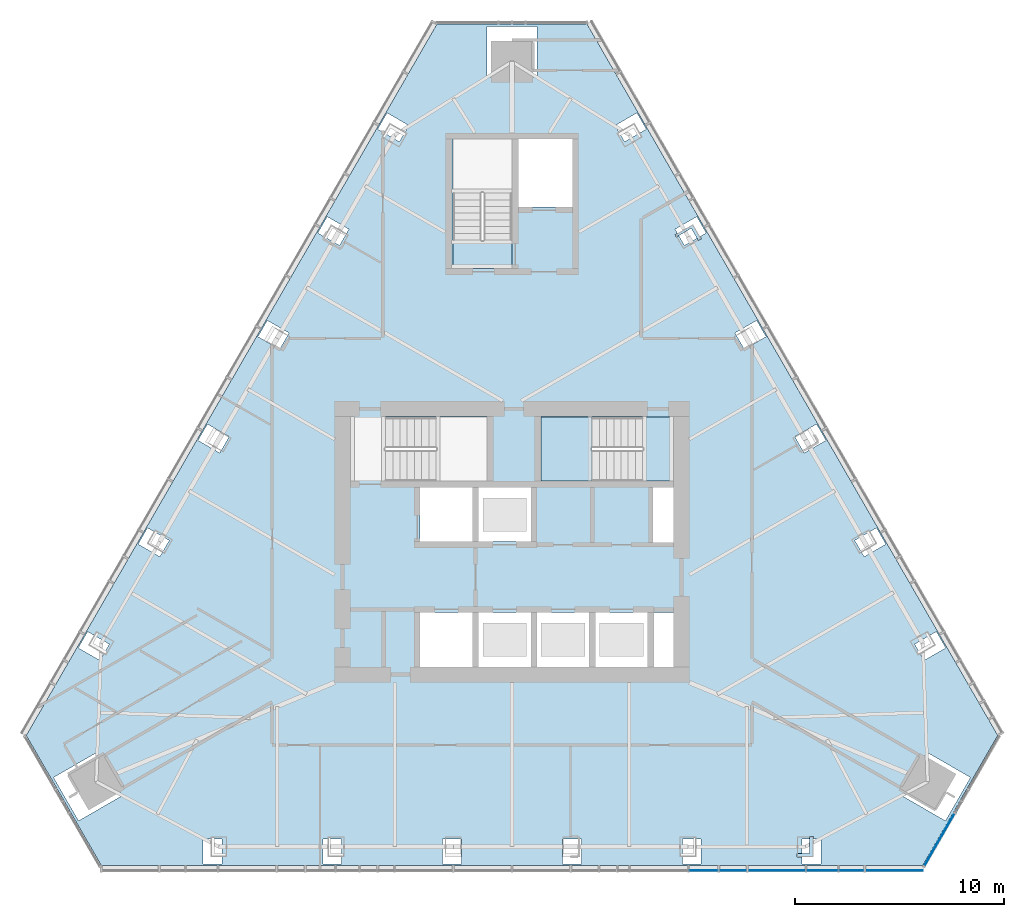
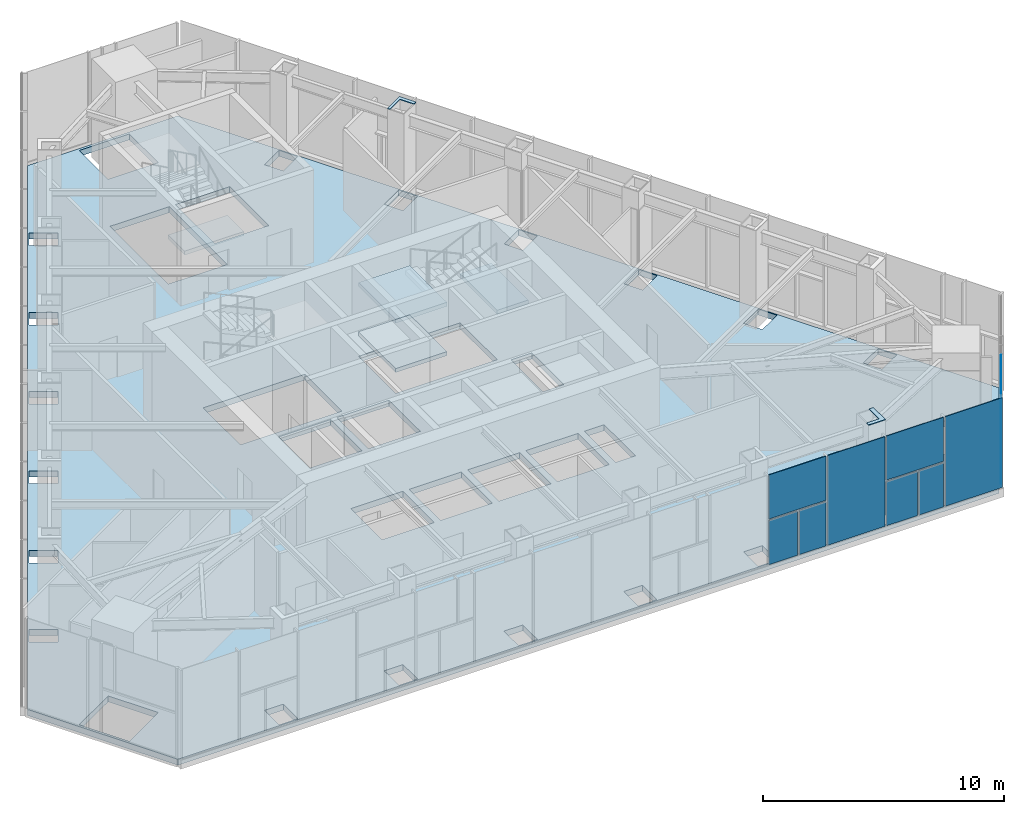
# One storey, part 9 of 17: 12 plates, 5 slabs, 4 elements without a shape of their own.
"""IFC4 building model written with IfcOpenShell, lengths in metres."""

import ifcopenshell
import ifcopenshell.guid

model = None  # the IFC model being written
_history = None  # IfcOwnerHistory: only IFC2X3 demands one
_inside = {}  # id of a spatial element -> (the spatial element, [elements in it])
_under = {}  # id of a project, library or spatial element -> (it, [spatial elements below it])
_declared = {}  # id of a project -> (the project, [libraries it declares])
_typed = {}  # id of a type object -> (the type object, [elements of that type])
_made_of = {}  # id of a material, layer set ... -> (it, [elements and type objects made of it])


def new_model(schema):
    """Start an empty IFC model of exactly this schema.

    Asked for "IFC4X3", IfcOpenShell would pick the latest addendum, in which some entities
    have other attributes; the version numbers below select the first issue.
    IFC2X3 requires an IfcOwnerHistory on every rooted entity: one is made here for all.
    """
    global model, _history
    if schema == "IFC4X3":
        model = ifcopenshell.file(schema_version=(4, 3, 0, 0))
    else:
        model = ifcopenshell.file(schema=schema)
    _inside.clear()
    _under.clear()
    _declared.clear()
    _typed.clear()
    _made_of.clear()
    _history = None
    if model.schema == "IFC2X3":
        org = make("IfcOrganization", Name="unknown")
        user = make(
            "IfcPersonAndOrganization",
            ThePerson=make("IfcPerson", FamilyName="unknown"),
            TheOrganization=org,
        )
        app = make(
            "IfcApplication",
            ApplicationDeveloper=org,
            Version="unknown",
            ApplicationFullName="unknown",
            ApplicationIdentifier="unknown",
        )
        _history = make(
            "IfcOwnerHistory",
            OwningUser=user,
            OwningApplication=app,
            ChangeAction="ADDED",
            CreationDate=0,
        )
    return model


def make(cls, **values):
    """One entity of the class cls with the attributes given. An attribute that is None is left unset."""
    return model.create_entity(
        cls, **{name: value for name, value in values.items() if value is not None}
    )


def rooted(cls, **values):
    """An entity with a GlobalId (a new one), such as an element, a storey or a relation."""
    return make(cls, GlobalId=ifcopenshell.guid.new(), OwnerHistory=_history, **values)


def si_unit(unit_type, name, prefix=None):
    """IfcSIUnit, for example si_unit("LENGTHUNIT", "METRE", prefix="MILLI")."""
    return make("IfcSIUnit", UnitType=unit_type, Prefix=prefix, Name=name)


def assignment(units):
    """IfcUnitAssignment: the units of a project."""
    return None if units is None else make("IfcUnitAssignment", Units=units)


def point(xyz):
    """IfcCartesianPoint."""
    return None if xyz is None else make("IfcCartesianPoint", Coordinates=xyz)


def direction(xyz):
    """IfcDirection."""
    return None if xyz is None else make("IfcDirection", DirectionRatios=xyz)


def frame(location, z_axis=None, x_axis=None):
    """IfcAxis2Placement3D, a coordinate frame: its origin and axes. An axis left out is left unset."""
    return make(
        "IfcAxis2Placement3D",
        Location=point(location),
        Axis=direction(z_axis),
        RefDirection=direction(x_axis),
    )


def origin():
    """The frame at (0, 0, 0) with its axes left unset."""
    return frame((0.0, 0.0, 0.0))


def place(relative_to, where):
    """IfcLocalPlacement: puts the frame where relative to a parent placement (None: the world)."""
    return make(
        "IfcLocalPlacement", PlacementRelTo=relative_to, RelativePlacement=where
    )


def context(
    kind, dimensions, precision=None, world=None, true_north=None, identifier=None
):
    """IfcGeometricRepresentationContext, for example the 3D "Model" context."""
    return make(
        "IfcGeometricRepresentationContext",
        ContextIdentifier=identifier,
        ContextType=kind,
        CoordinateSpaceDimension=dimensions,
        Precision=precision,
        WorldCoordinateSystem=world,
        TrueNorth=true_north,
    )


def subcontext(parent, identifier, kind, view, scale=None):
    """IfcGeometricRepresentationSubContext, for example "Body" below "Model"."""
    return make(
        "IfcGeometricRepresentationSubContext",
        ContextIdentifier=identifier,
        ContextType=kind,
        ParentContext=parent,
        TargetScale=scale,
        TargetView=view,
    )


def project(units=None, contexts=None):
    """IfcProject with its units and contexts."""
    return rooted(
        "IfcProject",
        Name="project",
        RepresentationContexts=contexts,
        UnitsInContext=assignment(units),
    )


def spatial(cls, under=None, at=None, **own):
    """A site, building, storey or space (cls), placed at a placement, below another one or the project."""
    s = rooted(cls, ObjectPlacement=at, **own)
    if under is not None:
        _under.setdefault(under.id(), (under, []))[1].append(s)
    return s


def polyline(points):
    """IfcPolyline through the points."""
    return make("IfcPolyline", Points=[point(p) for p in points])


def outline(outer, holes=None, kind="AREA"):
    """IfcArbitraryClosedProfileDef: a profile drawn as a closed curve; with holes, ...WithVoids."""
    if holes is None:
        return make("IfcArbitraryClosedProfileDef", ProfileType=kind, OuterCurve=outer)
    return make(
        "IfcArbitraryProfileDefWithVoids",
        ProfileType=kind,
        OuterCurve=outer,
        InnerCurves=holes,
    )


def extrude(swept, where, along, depth):
    """IfcExtrudedAreaSolid: the profile swept, set in the frame where, extruded along a direction by depth."""
    return make(
        "IfcExtrudedAreaSolid",
        SweptArea=swept,
        Position=where,
        ExtrudedDirection=direction(along),
        Depth=depth,
    )


def shape(context_of_items, identifier, shape_type, items):
    """IfcShapeRepresentation: the items that make up one representation, for example the "Body"."""
    return make(
        "IfcShapeRepresentation",
        ContextOfItems=context_of_items,
        RepresentationIdentifier=identifier,
        RepresentationType=shape_type,
        Items=items,
    )


def material(Name=None, Category=None):
    """IfcMaterial."""
    return make("IfcMaterial", Name=Name, Category=Category)


def layer(
    of_material, thickness, ventilated=None, Name=None, Category=None, Priority=None
):
    """IfcMaterialLayer: one layer of a wall or slab, of a material (None: an air gap)."""
    return make(
        "IfcMaterialLayer",
        Material=of_material,
        LayerThickness=thickness,
        IsVentilated=ventilated,
        Name=Name,
        Category=Category,
        Priority=Priority,
    )


def layer_set(layers, Name=None):
    """IfcMaterialLayerSet."""
    return make("IfcMaterialLayerSet", MaterialLayers=layers, LayerSetName=Name)


def made_of(thing, what):
    """Note that an element or type object is made of a material, layer set ...; save() writes the relation."""
    if what is not None:
        _made_of.setdefault(what.id(), (what, []))[1].append(thing)
    return thing


def type_object(cls, material=None, **own):
    """A type object (cls), such as IfcWallType, which elements share."""
    return made_of(rooted(cls, **own), material)


def element(
    cls,
    number,
    at=None,
    inside=None,
    cuts=None,
    type_object=None,
    material=None,
    context=None,
    identifier="Body",
    shape_type=None,
    held_by="IfcProductDefinitionShape",
    body=None,
    shapes=None,
    **own,
):
    """One element of the class cls, such as IfcWall. Its Tag is "e" and its number.

    at: its placement. inside: the storey or other place that contains it. cuts: it is an
    opening in that element (IfcRelVoidsElement). A single representation is given by context,
    identifier, shape_type and body (its items); several are given by shapes. held_by: the class
    of the entity that holds the representations. save() writes the other relations.
    """
    e = rooted(cls, Tag="e%d" % number, ObjectPlacement=at, **own)
    if body is not None:
        shapes = [shape(context, identifier, shape_type, body)]
    if shapes is not None:
        e.Representation = make(held_by, Representations=shapes)
    if inside is not None:
        _inside.setdefault(inside.id(), (inside, []))[1].append(e)
    if cuts is not None:
        rooted(
            "IfcRelVoidsElement", RelatingBuildingElement=cuts, RelatedOpeningElement=e
        )
    if type_object is not None:
        _typed.setdefault(type_object.id(), (type_object, []))[1].append(e)
    return made_of(e, material)


def aggregate(whole, parts):
    """IfcRelAggregates: a whole, such as a stair, and the parts it consists of."""
    return rooted("IfcRelAggregates", RelatingObject=whole, RelatedObjects=parts)


def save(model, path):
    """Write the relations noted so far, then the file.

    IfcRelAggregates (storeys below a building ...), IfcRelContainedInSpatialStructure (elements
    in a storey), IfcRelDefinesByType, IfcRelAssociatesMaterial and IfcRelDeclares: one each for
    every whole, place, type object, material and project.
    """
    for whole, parts in _under.values():
        aggregate(whole, parts)
    for where, things in _inside.values():
        rooted(
            "IfcRelContainedInSpatialStructure",
            RelatedElements=things,
            RelatingStructure=where,
        )
    for kind, things in _typed.values():
        rooted("IfcRelDefinesByType", RelatedObjects=things, RelatingType=kind)
    for what, things in _made_of.values():
        rooted("IfcRelAssociatesMaterial", RelatedObjects=things, RelatingMaterial=what)
    for by, libraries in _declared.values():
        rooted("IfcRelDeclares", RelatingContext=by, RelatedDefinitions=libraries)
    model.write(path)


model = new_model("IFC4")

# Units and contexts
model_context = context("Model", 3, precision=1e-05, world=origin(), true_north=direction((0.0, 1.0)))
body_context = subcontext(model_context, "Body", "Model", "MODEL_VIEW")
ifc_project = project(units=[si_unit("LENGTHUNIT", "METRE"), si_unit("AREAUNIT", "SQUARE_METRE"), si_unit("VOLUMEUNIT", "CUBIC_METRE"), si_unit("PLANEANGLEUNIT", "RADIAN"), si_unit("MASSUNIT", "GRAM", prefix="KILO")], contexts=[model_context])

# Site, building, storey
site_placement = place(None, origin())
site = spatial("IfcSite", under=ifc_project, at=site_placement, CompositionType="ELEMENT")
building_placement = place(site_placement, origin())
building = spatial("IfcBuilding", under=site, at=building_placement, Name="Firuza Gate Tower and Library", CompositionType="ELEMENT")
storey_placement = place(building_placement, frame((0.0, 0.0, 326.60009765625)))
storey = spatial("IfcBuildingStorey", under=building, at=storey_placement, Name="L80", CompositionType="ELEMENT", Elevation=326.60009765625)

# Plates
ifc_material_1 = material(Name="Steel S355", Category="steel")
ifc_layer_1 = layer(ifc_material_1, 0.030029296875)
ifc_layer_set_1 = layer_set([ifc_layer_1], Name="Column infill plate 30 Steel S355")
plate_type_1 = type_object("IfcPlateType", Name="Column infill plate 30 Steel S355", PredefinedType="SHEET", material=ifc_layer_set_1)
placement_1 = place(storey_placement, frame((0.0, 0.0, 5.0)))
element("IfcPlate", 1, at=placement_1, inside=storey, type_object=plate_type_1, Name="Infill plate L80:S6", PredefinedType="SHEET", context=body_context, shape_type="SweptSolid", body=[
    extrude(outline(polyline([(89.466552734375, 60.873046875), (89.257080078125, 60.873046875), (89.257080078125, 60.04248046875), (88.666748046875, 60.04248046875), (88.666748046875, 59.873046875), (89.466552734375, 59.873046875), (89.466552734375, 60.873046875)])), origin(), (0.0, 0.0, 1.0), 0.02978515625),
])
element("IfcPlate", 2, at=placement_1, inside=storey, type_object=plate_type_1, Name="Infill plate L80:E5", PredefinedType="SHEET", context=body_context, shape_type="SweptSolid", body=[
    extrude(outline(polyline([(82.814208984375, 89.718994140625), (82.877197265625, 89.610107421875), (83.596435546875, 90.025634765625), (83.93359375, 89.441650390625), (84.080322265625, 89.5263671875), (83.68017578125, 90.218994140625), (82.814208984375, 89.718994140625)])), origin(), (0.0, 0.0, 1.0), 0.02978515625),
])

# Slab
ifc_material_2 = material(Name="Concrete C40/50", Category="concrete")
ifc_layer_2 = layer(ifc_material_2, 0.300048828125)
ifc_layer_set_2 = layer_set([ifc_layer_2], Name="Composite floor slab 300 C40/50")
slab_type_1 = type_object("IfcSlabType", Name="Composite floor slab 300 C40/50", PredefinedType="FLOOR", material=ifc_layer_set_2)
slab_1_placement = place(storey_placement, frame((0.0, 0.0, -0.300048828125)))
element("IfcSlab", 3, at=slab_1_placement, inside=storey, type_object=slab_type_1, Name="Floor slab L80", PredefinedType="FLOOR", context=body_context, shape_type="SweptSolid", body=[
    extrude(outline(polyline([(51.706787109375, 65.70849609375), (55.306640625, 59.47314453125), (94.693359375, 59.47314453125), (98.293212890625, 65.70849609375), (78.60009765625, 99.818359375), (71.39990234375, 99.818359375), (51.706787109375, 65.70849609375)]), holes=[polyline([(60.18994140625, 59.5361328125), (60.18994140625, 60.736083984375), (61.090087890625, 60.736083984375), (61.090087890625, 59.5361328125), (60.18994140625, 59.5361328125)]), polyline([(65.93408203125, 59.5361328125), (65.93408203125, 60.736083984375), (66.833984375, 60.736083984375), (66.833984375, 59.5361328125), (65.93408203125, 59.5361328125)]), polyline([(71.677978515625, 59.5361328125), (71.677978515625, 60.736083984375), (72.577880859375, 60.736083984375), (72.577880859375, 59.5361328125), (71.677978515625, 59.5361328125)]), polyline([(53.015625, 63.69287109375), (55.093994140625, 64.89306640625), (56.294189453125, 62.814453125), (54.215576171875, 61.614501953125), (53.015625, 63.69287109375)]), polyline([(54.65283203125, 70.685546875), (55.692138671875, 70.085693359375), (55.241943359375, 69.30615234375), (54.202880859375, 69.90625), (54.65283203125, 70.685546875)]), polyline([(73.10009765625, 69.0), (70.60009765625, 69.0), (70.60009765625, 71.60009765625), (73.10009765625, 71.60009765625), (73.10009765625, 69.0)]), polyline([(75.89990234375, 69.0), (73.39990234375, 69.0), (73.39990234375, 71.60009765625), (75.89990234375, 71.60009765625), (75.89990234375, 69.0)]), polyline([(57.52490234375, 75.659912109375), (58.56396484375, 75.06005859375), (58.114013671875, 74.280517578125), (57.07470703125, 74.880615234375), (57.52490234375, 75.659912109375)]), polyline([(73.10009765625, 75.0), (70.60009765625, 75.0), (70.60009765625, 77.60009765625), (73.10009765625, 77.60009765625), (73.10009765625, 75.0)]), polyline([(75.89990234375, 75.0), (73.39990234375, 75.0), (73.39990234375, 77.60009765625), (75.89990234375, 77.60009765625), (75.89990234375, 75.0)]), polyline([(68.9404296875, 77.89990234375), (68.9404296875, 80.97998046875), (73.81005859375, 80.97998046875), (73.81005859375, 77.89990234375), (68.9404296875, 77.89990234375)]), polyline([(60.396728515625, 80.634521484375), (61.43603515625, 80.034423828125), (60.986083984375, 79.255126953125), (59.94677734375, 79.85498046875), (60.396728515625, 80.634521484375)]), polyline([(63.268798828125, 85.60888671875), (64.30810546875, 85.009033203125), (63.858154296875, 84.2294921875), (62.81884765625, 84.82958984375), (63.268798828125, 85.60888671875)]), polyline([(66.140869140625, 90.583251953125), (67.179931640625, 89.9833984375), (66.72998046875, 89.203857421875), (65.69091796875, 89.803955078125), (66.140869140625, 90.583251953125)]), polyline([(72.159912109375, 89.470458984375), (72.159912109375, 94.300048828125), (75.0, 94.300048828125), (75.0, 89.470458984375), (72.159912109375, 89.470458984375)]), polyline([(69.0126953125, 95.557861328125), (70.052001953125, 94.957763671875), (69.60205078125, 94.178466796875), (68.562744140625, 94.7783203125), (69.0126953125, 95.557861328125)]), polyline([(76.199951171875, 99.692626953125), (76.199951171875, 97.29248046875), (73.800048828125, 97.29248046875), (73.800048828125, 99.692626953125), (76.199951171875, 99.692626953125)]), polyline([(77.422119140625, 59.5361328125), (77.422119140625, 60.736083984375), (78.322021484375, 60.736083984375), (78.322021484375, 59.5361328125), (77.422119140625, 59.5361328125)]), polyline([(83.166015625, 59.5361328125), (83.166015625, 60.736083984375), (84.06591796875, 60.736083984375), (84.06591796875, 59.5361328125), (83.166015625, 59.5361328125)]), polyline([(88.909912109375, 59.5361328125), (88.909912109375, 60.736083984375), (89.81005859375, 60.736083984375), (89.81005859375, 59.5361328125), (88.909912109375, 59.5361328125)]), polyline([(95.784423828125, 61.614501953125), (93.705810546875, 62.814453125), (94.906005859375, 64.89306640625), (96.984375, 63.69287109375), (95.784423828125, 61.614501953125)]), polyline([(95.797119140625, 69.90625), (94.758056640625, 69.30615234375), (94.307861328125, 70.085693359375), (95.34716796875, 70.685546875), (95.797119140625, 69.90625)]), polyline([(78.699951171875, 69.0), (76.199951171875, 69.0), (76.199951171875, 71.60009765625), (78.699951171875, 71.60009765625), (78.699951171875, 69.0)]), polyline([(81.5, 69.0), (79.0, 69.0), (79.0, 71.60009765625), (81.5, 71.60009765625), (81.5, 69.0)]), polyline([(82.75, 69.0), (81.800048828125, 69.0), (81.800048828125, 71.60009765625), (82.75, 71.60009765625), (82.75, 69.0)]), polyline([(92.92529296875, 74.880615234375), (91.885986328125, 74.280517578125), (91.43603515625, 75.06005859375), (92.47509765625, 75.659912109375), (92.92529296875, 74.880615234375)]), polyline([(82.75, 74.949951171875), (81.75, 74.949951171875), (81.75, 77.60009765625), (82.75, 77.60009765625), (82.75, 74.949951171875)]), polyline([(81.259521484375, 80.97998046875), (81.259521484375, 77.89990234375), (76.389892578125, 77.89990234375), (76.389892578125, 80.97998046875), (81.259521484375, 80.97998046875)]), polyline([(90.05322265625, 79.85498046875), (89.013916015625, 79.255126953125), (88.56396484375, 80.034423828125), (89.603271484375, 80.634521484375), (90.05322265625, 79.85498046875)]), polyline([(87.18115234375, 84.82958984375), (86.141845703125, 84.2294921875), (85.69189453125, 85.009033203125), (86.731201171875, 85.60888671875), (87.18115234375, 84.82958984375)]), polyline([(84.30908203125, 89.803955078125), (83.27001953125, 89.203857421875), (82.820068359375, 89.9833984375), (83.859130859375, 90.583251953125), (84.30908203125, 89.803955078125)]), polyline([(75.300048828125, 91.050048828125), (75.300048828125, 94.300048828125), (77.89990234375, 94.300048828125), (77.89990234375, 91.050048828125), (75.300048828125, 91.050048828125)]), polyline([(80.39794921875, 94.178466796875), (79.947998046875, 94.957763671875), (80.9873046875, 95.557861328125), (81.437255859375, 94.7783203125), (80.39794921875, 94.178466796875)])]), origin(), (0.0, 0.0, 1.0), 0.300048828125),
])

# Curtain wall, plate
ifc_material_3 = material(Name="Aluminium 6063-T6", Category="aluminium")
ifc_layer_3 = layer(ifc_material_3, 0.14990234375)
ifc_layer_set_3 = layer_set([ifc_layer_3], Name="Corner curtain wall, chamfers")
curtain_wall_type_1 = type_object("IfcCurtainWallType", Name="Corner curtain wall, chamfers", PredefinedType="NOTDEFINED", material=ifc_layer_set_3)
placement_2 = place(storey_placement, origin())
curtain_wall_1 = element("IfcCurtainWall", 4, at=placement_2, inside=storey, type_object=curtain_wall_type_1, Name="CW4 L80 SE corner", PredefinedType="NOTDEFINED")
ifc_material_4 = material(Name="Fritted glass", Category="glass")
ifc_layer_4 = layer(ifc_material_4, 0.030029296875)
ifc_layer_set_4 = layer_set([ifc_layer_4], Name="Fritted glass unit, corners")
plate_type_2 = type_object("IfcPlateType", Name="Fritted glass unit, corners", PredefinedType="CURTAIN_PANEL", material=ifc_layer_set_4)
plate_3_placement = place(storey_placement, frame((94.76953125, 59.42529296875, 0.14990234375), z_axis=(0.866016723041, -0.500015035186, 0.0), x_axis=(0.500015035186, 0.866016723041, 0.0)))
plate_3 = element("IfcPlate", 5, at=plate_3_placement, type_object=plate_type_2, Name="Glass unit", PredefinedType="CURTAIN_PANEL", context=body_context, shape_type="SweptSolid", body=[
    extrude(outline(polyline([(0.0, 0.0), (3.5633694106530625, 0.0), (3.5633694106530625, 2.235107421875), (0.0, 2.235107421875), (0.0, 0.0)])), origin(), (0.0, 0.0, -1.0), 0.030029296875),
])

# Curtain wall, plates
ifc_material_5 = material(Name="Aluminium 6063-T6", Category="aluminium")
ifc_layer_5 = layer(ifc_material_5, 0.14990234375)
ifc_layer_set_5 = layer_set([ifc_layer_5], Name="Unitised curtain wall, residences")
curtain_wall_type_2 = type_object("IfcCurtainWallType", Name="Unitised curtain wall, residences", PredefinedType="NOTDEFINED", material=ifc_layer_set_5)
curtain_wall_2 = element("IfcCurtainWall", 6, at=placement_2, inside=storey, type_object=curtain_wall_type_2, Name="CW3 L80 S face", PredefinedType="NOTDEFINED")
ifc_material_6 = material(Name="Fritted glass", Category="glass")
ifc_layer_6 = layer(ifc_material_6, 0.030029296875)
ifc_layer_set_6 = layer_set([ifc_layer_6], Name="Fritted glass unit, residences")
plate_type_3 = type_object("IfcPlateType", Name="Fritted glass unit, residences", PredefinedType="CURTAIN_PANEL", material=ifc_layer_set_6)
plate_4_placement = place(storey_placement, frame((83.49853515625, 59.213134765625, 0.14990234375), z_axis=(0.0, -1.0, 0.0), x_axis=(1.0, 0.0, 0.0)))
plate_4 = element("IfcPlate", 7, at=plate_4_placement, type_object=plate_type_3, Name="Glass unit", PredefinedType="CURTAIN_PANEL", context=body_context, shape_type="SweptSolid", body=[
    extrude(outline(polyline([(0.0, 0.0), (1.377197265625, 0.0), (1.377197265625, 2.235107421875), (0.0, 2.235107421875), (0.0, 0.0)])), origin(), (0.0, 0.0, -1.0), 0.030029296875),
])
plate_5_placement = place(storey_placement, frame((89.1376953125, 59.213134765625, 0.14990234375), z_axis=(0.0, -1.0, 0.0), x_axis=(1.0, 0.0, 0.0)))
plate_5 = element("IfcPlate", 8, at=plate_5_placement, type_object=plate_type_3, Name="Glass unit", PredefinedType="CURTAIN_PANEL", context=body_context, shape_type="SweptSolid", body=[
    extrude(outline(polyline([(0.0, 0.0), (1.48193359375, 0.0), (1.48193359375, 2.235107421875), (0.0, 2.235107421875), (0.0, 0.0)])), origin(), (0.0, 0.0, -1.0), 0.030029296875),
])

# Plate
ifc_material_7 = material(Name="Glazed ceramic tile")
ifc_layer_7 = layer(ifc_material_7, 0.030029296875)
ifc_layer_set_7 = layer_set([ifc_layer_7], Name="Opaque ceramic panel, corners")
plate_type_4 = type_object("IfcPlateType", Name="Opaque ceramic panel, corners", PredefinedType="CURTAIN_PANEL", material=ifc_layer_set_7)
plate_6_placement = place(storey_placement, frame((94.76953125, 59.42529296875, 2.46484375), z_axis=(0.866001369261, -0.500041626706, 0.0), x_axis=(0.500041626706, 0.866001369261, 0.0)))
plate_6 = element("IfcPlate", 9, at=plate_6_placement, type_object=plate_type_4, Name="Opaque ceramic panel", PredefinedType="CURTAIN_PANEL", context=body_context, shape_type="SweptSolid", body=[
    extrude(outline(polyline([(0.0, 0.0), (2.9133316739486435, 0.0), (2.9133316739486435, 2.235107421875), (0.0, 2.235107421875), (0.0, 0.0)])), origin(), (0.0, 0.0, -1.0), 0.030029296875),
])

aggregate(curtain_wall_1, [plate_3, plate_6])

ifc_material_8 = material(Name="Glazed ceramic tile")
ifc_layer_8 = layer(ifc_material_8, 0.030029296875)
ifc_layer_set_8 = layer_set([ifc_layer_8], Name="Opaque ceramic panel, residences")
plate_type_5 = type_object("IfcPlateType", Name="Opaque ceramic panel, residences", PredefinedType="CURTAIN_PANEL", material=ifc_layer_set_8)
plate_7_placement = place(storey_placement, frame((84.955810546875, 59.213134765625, 0.14990234375), z_axis=(0.0, -1.0, 0.0), x_axis=(1.0, 0.0, 0.0)))
plate_7 = element("IfcPlate", 10, at=plate_7_placement, type_object=plate_type_5, Name="Opaque ceramic panel", PredefinedType="CURTAIN_PANEL", context=body_context, shape_type="SweptSolid", body=[
    extrude(outline(polyline([(0.0, 0.0), (1.2822265625, 0.0), (1.2822265625, 2.235107421875), (0.0, 2.235107421875), (0.0, 0.0)])), origin(), (0.0, 0.0, -1.0), 0.030029296875),
])

plate_8_placement = place(storey_placement, frame((83.49853515625, 59.213134765625, 2.46484375), z_axis=(0.0, -1.0, 0.0), x_axis=(1.0, 0.0, 0.0)))
plate_8 = element("IfcPlate", 11, at=plate_8_placement, type_object=plate_type_5, Name="Opaque ceramic panel", PredefinedType="CURTAIN_PANEL", context=body_context, shape_type="SweptSolid", body=[
    extrude(outline(polyline([(0.0, 0.0), (2.739501953125, 0.0), (2.739501953125, 2.235107421875), (0.0, 2.235107421875), (0.0, 0.0)])), origin(), (0.0, 0.0, -1.0), 0.030029296875),
])

plate_9_placement = place(storey_placement, frame((86.318115234375, 59.213134765625, 0.14990234375), z_axis=(0.0, -1.0, 0.0), x_axis=(1.0, 0.0, 0.0)))
plate_9 = element("IfcPlate", 12, at=plate_9_placement, type_object=plate_type_5, Name="Opaque ceramic panel", PredefinedType="CURTAIN_PANEL", context=body_context, shape_type="SweptSolid", body=[
    extrude(outline(polyline([(0.0, 0.0), (2.739501953125, 0.0), (2.739501953125, 4.550048828125), (0.0, 4.550048828125), (0.0, 0.0)])), origin(), (0.0, 0.0, -1.0), 0.030029296875),
])

plate_10_placement = place(storey_placement, frame((90.69970703125, 59.213134765625, 0.14990234375), z_axis=(0.0, -1.0, 0.0), x_axis=(1.0, 0.0, 0.0)))
plate_10 = element("IfcPlate", 13, at=plate_10_placement, type_object=plate_type_5, Name="Opaque ceramic panel", PredefinedType="CURTAIN_PANEL", context=body_context, shape_type="SweptSolid", body=[
    extrude(outline(polyline([(0.0, 0.0), (1.177490234375, 0.0), (1.177490234375, 2.235107421875), (0.0, 2.235107421875), (0.0, 0.0)])), origin(), (0.0, 0.0, -1.0), 0.030029296875),
])

plate_11_placement = place(storey_placement, frame((89.1376953125, 59.213134765625, 2.46484375), z_axis=(0.0, -1.0, 0.0), x_axis=(1.0, 0.0, 0.0)))
plate_11 = element("IfcPlate", 14, at=plate_11_placement, type_object=plate_type_5, Name="Opaque ceramic panel", PredefinedType="CURTAIN_PANEL", context=body_context, shape_type="SweptSolid", body=[
    extrude(outline(polyline([(0.0, 0.0), (2.739501953125, 0.0), (2.739501953125, 2.235107421875), (0.0, 2.235107421875), (0.0, 0.0)])), origin(), (0.0, 0.0, -1.0), 0.030029296875),
])

plate_12_placement = place(storey_placement, frame((91.95703125, 59.213134765625, 0.14990234375), z_axis=(0.0, -1.0, 0.0), x_axis=(1.0, 0.0, 0.0)))
plate_12 = element("IfcPlate", 15, at=plate_12_placement, type_object=plate_type_5, Name="Opaque ceramic panel", PredefinedType="CURTAIN_PANEL", context=body_context, shape_type="SweptSolid", body=[
    extrude(outline(polyline([(0.0, 0.0), (2.739501953125, 0.0), (2.739501953125, 4.550048828125), (0.0, 4.550048828125), (0.0, 0.0)])), origin(), (0.0, 0.0, -1.0), 0.030029296875),
])

aggregate(curtain_wall_2, [plate_4, plate_7, plate_8, plate_9, plate_5, plate_10, plate_11, plate_12])

# Stair, slabs
ifc_material_9 = material(Name="Concrete C35/45", Category="concrete")
stair_type_1 = type_object("IfcStairType", Name="Exit stair ST2", PredefinedType="HALF_TURN_STAIR", material=ifc_material_9)
stair_1 = element("IfcStair", 16, at=placement_2, inside=storey, type_object=stair_type_1, Name="L80 Stair ST2", PredefinedType="HALF_TURN_STAIR")
ifc_material_10 = material(Name="Concrete C35/45", Category="concrete")
ifc_layer_9 = layer(ifc_material_10, 0.199951171875)
ifc_layer_set_9 = layer_set([ifc_layer_9], Name="Stair landing 200")
slab_type_2 = type_object("IfcSlabType", Name="Stair landing 200", PredefinedType="LANDING", material=ifc_layer_set_9)
slab_2_placement = place(storey_placement, frame((0.0, 0.0, 1.0498046875)))
slab_2 = element("IfcSlab", 17, at=slab_2_placement, type_object=slab_type_2, Name="ST2 landing 1", PredefinedType="LANDING", context=body_context, shape_type="SweptSolid", body=[
    extrude(outline(polyline([(78.844970703125, 80.97998046875), (76.389892578125, 80.97998046875), (76.389892578125, 77.89990234375), (78.844970703125, 77.89990234375), (78.844970703125, 80.97998046875)])), origin(), (0.0, 0.0, 1.0), 0.2001953125),
])
placement_3 = place(storey_placement, frame((0.0, 0.0, 2.2998046875)))
slab_3 = element("IfcSlab", 18, at=placement_3, type_object=slab_type_2, Name="ST2 landing 2", PredefinedType="LANDING", context=body_context, shape_type="SweptSolid", body=[
    extrude(outline(polyline([(82.75, 80.97998046875), (81.260009765625, 80.97998046875), (81.260009765625, 77.89990234375), (82.75, 77.89990234375), (82.75, 80.97998046875)])), origin(), (0.0, 0.0, 1.0), 0.2001953125),
])
slab_4_placement = place(storey_placement, frame((0.0, 0.0, 3.5498046875)))
slab_4 = element("IfcSlab", 19, at=slab_4_placement, type_object=slab_type_2, Name="ST2 landing 3", PredefinedType="LANDING", context=body_context, shape_type="SweptSolid", body=[
    extrude(outline(polyline([(78.844970703125, 80.97998046875), (76.389892578125, 80.97998046875), (76.389892578125, 77.89990234375), (78.844970703125, 77.89990234375), (78.844970703125, 80.97998046875)])), origin(), (0.0, 0.0, 1.0), 0.2001953125),
])
aggregate(stair_1, [slab_2, slab_3, slab_4])

# Stair, slab
ifc_material_11 = material(Name="Concrete C35/45", Category="concrete")
stair_type_2 = type_object("IfcStairType", Name="Exit stair ST11", PredefinedType="HALF_TURN_STAIR", material=ifc_material_11)
stair_2 = element("IfcStair", 20, at=placement_2, inside=storey, type_object=stair_type_2, Name="L80 Stair ST3", PredefinedType="HALF_TURN_STAIR")
slab_5 = element("IfcSlab", 21, at=placement_3, type_object=slab_type_2, Name="ST3 landing 2", PredefinedType="LANDING", context=body_context, shape_type="SweptSolid", body=[
    extrude(outline(polyline([(75.0, 88.10009765625), (75.0, 89.469970703125), (72.159912109375, 89.469970703125), (72.159912109375, 88.10009765625), (75.0, 88.10009765625)])), origin(), (0.0, 0.0, 1.0), 0.2001953125),
])
aggregate(stair_2, [slab_5])

save(model, "model.ifc")
